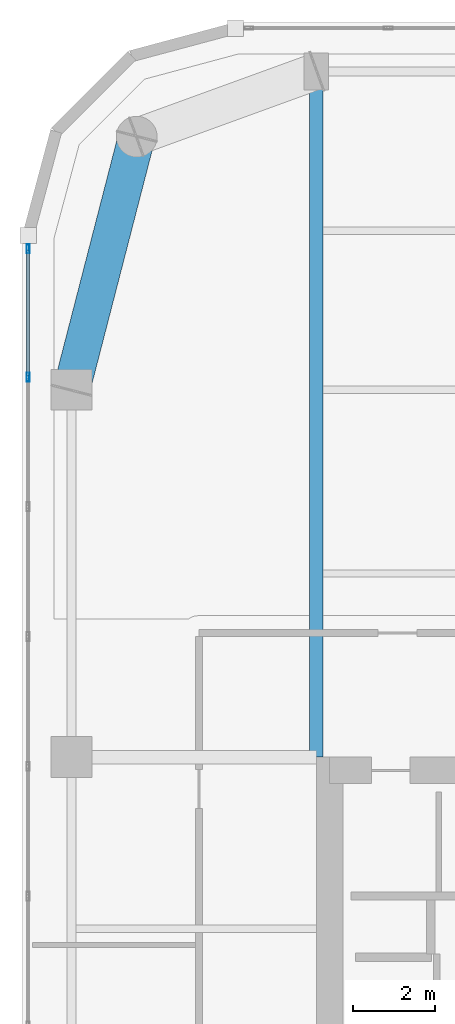
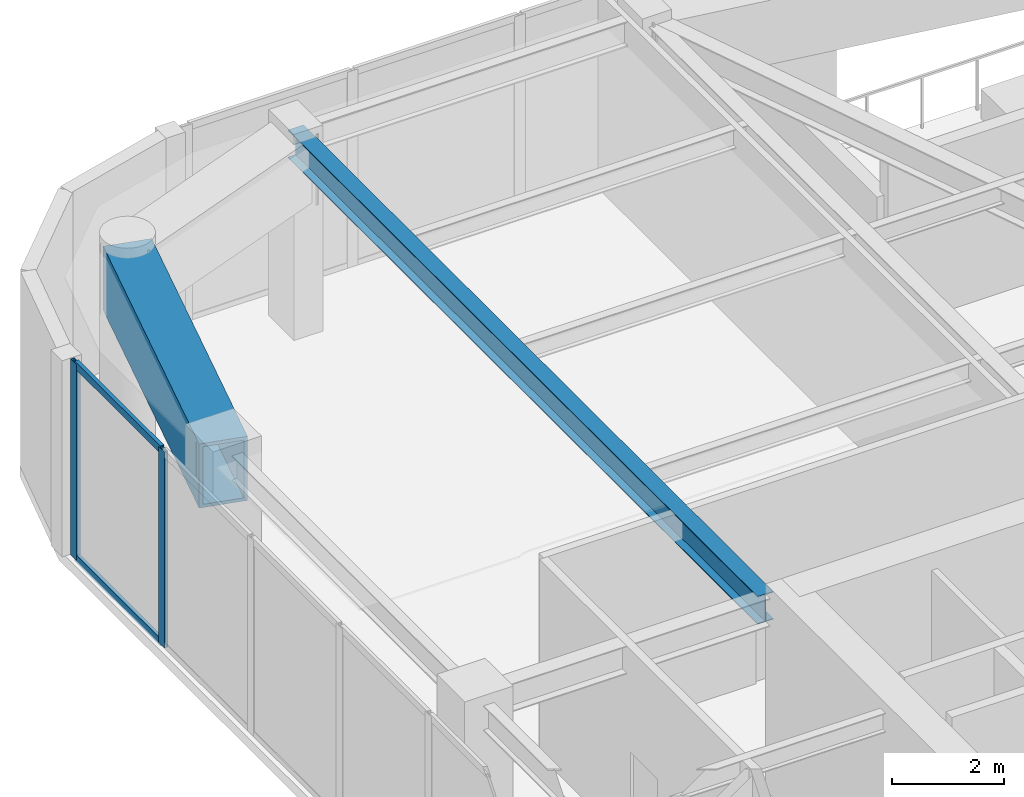
# One storey, part 6 of 19: 4 members, 2 beams, 1 element without a shape of its own.
"""IFC4 building model written with IfcOpenShell, lengths in metres."""

import ifcopenshell
import ifcopenshell.guid

model = None  # the IFC model being written
_history = None  # IfcOwnerHistory: only IFC2X3 demands one
_inside = {}  # id of a spatial element -> (the spatial element, [elements in it])
_under = {}  # id of a project, library or spatial element -> (it, [spatial elements below it])
_declared = {}  # id of a project -> (the project, [libraries it declares])
_typed = {}  # id of a type object -> (the type object, [elements of that type])
_made_of = {}  # id of a material, layer set ... -> (it, [elements and type objects made of it])


def new_model(schema):
    """Start an empty IFC model of exactly this schema.

    Asked for "IFC4X3", IfcOpenShell would pick the latest addendum, in which some entities
    have other attributes; the version numbers below select the first issue.
    IFC2X3 requires an IfcOwnerHistory on every rooted entity: one is made here for all.
    """
    global model, _history
    if schema == "IFC4X3":
        model = ifcopenshell.file(schema_version=(4, 3, 0, 0))
    else:
        model = ifcopenshell.file(schema=schema)
    _inside.clear()
    _under.clear()
    _declared.clear()
    _typed.clear()
    _made_of.clear()
    _history = None
    if model.schema == "IFC2X3":
        org = make("IfcOrganization", Name="unknown")
        user = make(
            "IfcPersonAndOrganization",
            ThePerson=make("IfcPerson", FamilyName="unknown"),
            TheOrganization=org,
        )
        app = make(
            "IfcApplication",
            ApplicationDeveloper=org,
            Version="unknown",
            ApplicationFullName="unknown",
            ApplicationIdentifier="unknown",
        )
        _history = make(
            "IfcOwnerHistory",
            OwningUser=user,
            OwningApplication=app,
            ChangeAction="ADDED",
            CreationDate=0,
        )
    return model


def make(cls, **values):
    """One entity of the class cls with the attributes given. An attribute that is None is left unset."""
    return model.create_entity(
        cls, **{name: value for name, value in values.items() if value is not None}
    )


def rooted(cls, **values):
    """An entity with a GlobalId (a new one), such as an element, a storey or a relation."""
    return make(cls, GlobalId=ifcopenshell.guid.new(), OwnerHistory=_history, **values)


def si_unit(unit_type, name, prefix=None):
    """IfcSIUnit, for example si_unit("LENGTHUNIT", "METRE", prefix="MILLI")."""
    return make("IfcSIUnit", UnitType=unit_type, Prefix=prefix, Name=name)


def assignment(units):
    """IfcUnitAssignment: the units of a project."""
    return None if units is None else make("IfcUnitAssignment", Units=units)


def point(xyz):
    """IfcCartesianPoint."""
    return None if xyz is None else make("IfcCartesianPoint", Coordinates=xyz)


def direction(xyz):
    """IfcDirection."""
    return None if xyz is None else make("IfcDirection", DirectionRatios=xyz)


def frame(location, z_axis=None, x_axis=None):
    """IfcAxis2Placement3D, a coordinate frame: its origin and axes. An axis left out is left unset."""
    return make(
        "IfcAxis2Placement3D",
        Location=point(location),
        Axis=direction(z_axis),
        RefDirection=direction(x_axis),
    )


def frame_2d(location, x_axis=None):
    """IfcAxis2Placement2D, a coordinate frame in the plane: its origin and x axis."""
    return make(
        "IfcAxis2Placement2D", Location=point(location), RefDirection=direction(x_axis)
    )


def origin():
    """The frame at (0, 0, 0) with its axes left unset."""
    return frame((0.0, 0.0, 0.0))


def origin_2d():
    """The frame at (0, 0) in the plane with its x axis left unset."""
    return frame_2d((0.0, 0.0))


def place(relative_to, where):
    """IfcLocalPlacement: puts the frame where relative to a parent placement (None: the world)."""
    return make(
        "IfcLocalPlacement", PlacementRelTo=relative_to, RelativePlacement=where
    )


def context(
    kind, dimensions, precision=None, world=None, true_north=None, identifier=None
):
    """IfcGeometricRepresentationContext, for example the 3D "Model" context."""
    return make(
        "IfcGeometricRepresentationContext",
        ContextIdentifier=identifier,
        ContextType=kind,
        CoordinateSpaceDimension=dimensions,
        Precision=precision,
        WorldCoordinateSystem=world,
        TrueNorth=true_north,
    )


def subcontext(parent, identifier, kind, view, scale=None):
    """IfcGeometricRepresentationSubContext, for example "Body" below "Model"."""
    return make(
        "IfcGeometricRepresentationSubContext",
        ContextIdentifier=identifier,
        ContextType=kind,
        ParentContext=parent,
        TargetScale=scale,
        TargetView=view,
    )


def project(units=None, contexts=None):
    """IfcProject with its units and contexts."""
    return rooted(
        "IfcProject",
        Name="project",
        RepresentationContexts=contexts,
        UnitsInContext=assignment(units),
    )


def spatial(cls, under=None, at=None, **own):
    """A site, building, storey or space (cls), placed at a placement, below another one or the project."""
    s = rooted(cls, ObjectPlacement=at, **own)
    if under is not None:
        _under.setdefault(under.id(), (under, []))[1].append(s)
    return s


def profile(cls, at=None, kind="AREA", **sizes):
    """A parametric profile (cls). Its sizes go by their IFC names, for example OverallWidth=200.0."""
    return make(cls, ProfileType=kind, Position=at, **sizes)


def hollow_rectangle(**sizes):
    """IfcRectangleHollowProfileDef."""
    return profile("IfcRectangleHollowProfileDef", **sizes)


def i_section(**sizes):
    """IfcIShapeProfileDef."""
    return profile("IfcIShapeProfileDef", **sizes)


def extrude(swept, where, along, depth):
    """IfcExtrudedAreaSolid: the profile swept, set in the frame where, extruded along a direction by depth."""
    return make(
        "IfcExtrudedAreaSolid",
        SweptArea=swept,
        Position=where,
        ExtrudedDirection=direction(along),
        Depth=depth,
    )


def shape(context_of_items, identifier, shape_type, items):
    """IfcShapeRepresentation: the items that make up one representation, for example the "Body"."""
    return make(
        "IfcShapeRepresentation",
        ContextOfItems=context_of_items,
        RepresentationIdentifier=identifier,
        RepresentationType=shape_type,
        Items=items,
    )


def material(Name=None, Category=None):
    """IfcMaterial."""
    return make("IfcMaterial", Name=Name, Category=Category)


def layer(
    of_material, thickness, ventilated=None, Name=None, Category=None, Priority=None
):
    """IfcMaterialLayer: one layer of a wall or slab, of a material (None: an air gap)."""
    return make(
        "IfcMaterialLayer",
        Material=of_material,
        LayerThickness=thickness,
        IsVentilated=ventilated,
        Name=Name,
        Category=Category,
        Priority=Priority,
    )


def layer_set(layers, Name=None):
    """IfcMaterialLayerSet."""
    return make("IfcMaterialLayerSet", MaterialLayers=layers, LayerSetName=Name)


def material_profile(
    of_material, cross_section, Name=None, Category=None, Priority=None
):
    """IfcMaterialProfile: a cross section and its material."""
    return make(
        "IfcMaterialProfile",
        Name=Name,
        Material=of_material,
        Profile=cross_section,
        Priority=Priority,
        Category=Category,
    )


def profile_set(profiles, Name=None, composite=None):
    """IfcMaterialProfileSet."""
    return make(
        "IfcMaterialProfileSet",
        Name=Name,
        MaterialProfiles=profiles,
        CompositeProfile=composite,
    )


def made_of(thing, what):
    """Note that an element or type object is made of a material, layer set ...; save() writes the relation."""
    if what is not None:
        _made_of.setdefault(what.id(), (what, []))[1].append(thing)
    return thing


def type_object(cls, material=None, **own):
    """A type object (cls), such as IfcWallType, which elements share."""
    return made_of(rooted(cls, **own), material)


def element(
    cls,
    number,
    at=None,
    inside=None,
    cuts=None,
    type_object=None,
    material=None,
    context=None,
    identifier="Body",
    shape_type=None,
    held_by="IfcProductDefinitionShape",
    body=None,
    shapes=None,
    **own,
):
    """One element of the class cls, such as IfcWall. Its Tag is "e" and its number.

    at: its placement. inside: the storey or other place that contains it. cuts: it is an
    opening in that element (IfcRelVoidsElement). A single representation is given by context,
    identifier, shape_type and body (its items); several are given by shapes. held_by: the class
    of the entity that holds the representations. save() writes the other relations.
    """
    e = rooted(cls, Tag="e%d" % number, ObjectPlacement=at, **own)
    if body is not None:
        shapes = [shape(context, identifier, shape_type, body)]
    if shapes is not None:
        e.Representation = make(held_by, Representations=shapes)
    if inside is not None:
        _inside.setdefault(inside.id(), (inside, []))[1].append(e)
    if cuts is not None:
        rooted(
            "IfcRelVoidsElement", RelatingBuildingElement=cuts, RelatedOpeningElement=e
        )
    if type_object is not None:
        _typed.setdefault(type_object.id(), (type_object, []))[1].append(e)
    return made_of(e, material)


def aggregate(whole, parts):
    """IfcRelAggregates: a whole, such as a stair, and the parts it consists of."""
    return rooted("IfcRelAggregates", RelatingObject=whole, RelatedObjects=parts)


def save(model, path):
    """Write the relations noted so far, then the file.

    IfcRelAggregates (storeys below a building ...), IfcRelContainedInSpatialStructure (elements
    in a storey), IfcRelDefinesByType, IfcRelAssociatesMaterial and IfcRelDeclares: one each for
    every whole, place, type object, material and project.
    """
    for whole, parts in _under.values():
        aggregate(whole, parts)
    for where, things in _inside.values():
        rooted(
            "IfcRelContainedInSpatialStructure",
            RelatedElements=things,
            RelatingStructure=where,
        )
    for kind, things in _typed.values():
        rooted("IfcRelDefinesByType", RelatedObjects=things, RelatingType=kind)
    for what, things in _made_of.values():
        rooted("IfcRelAssociatesMaterial", RelatedObjects=things, RelatingMaterial=what)
    for by, libraries in _declared.values():
        rooted("IfcRelDeclares", RelatingContext=by, RelatedDefinitions=libraries)
    model.write(path)


model = new_model("IFC4")

# Units and contexts
model_context = context("Model", 3, precision=1e-05, world=origin(), true_north=direction((0.0, 1.0)))
body_context = subcontext(model_context, "Body", "Model", "MODEL_VIEW")
ifc_project = project(units=[si_unit("LENGTHUNIT", "METRE"), si_unit("AREAUNIT", "SQUARE_METRE"), si_unit("VOLUMEUNIT", "CUBIC_METRE"), si_unit("PLANEANGLEUNIT", "RADIAN"), si_unit("MASSUNIT", "GRAM", prefix="KILO")], contexts=[model_context])

# Site, building, storey
site_placement = place(None, origin())
site = spatial("IfcSite", under=ifc_project, at=site_placement, CompositionType="ELEMENT")
building_placement = place(site_placement, origin())
building = spatial("IfcBuilding", under=site, at=building_placement, Name="Kiyonajd Concourse Tower", CompositionType="ELEMENT")
storey_placement = place(building_placement, frame((0.0, 0.0, 238.800048828125)))
storey = spatial("IfcBuildingStorey", under=building, at=storey_placement, Name="L60", CompositionType="ELEMENT", Elevation=238.800048828125)

# Beams
ifc_material_1 = material(Name="Steel ASTM A992 Grade 50", Category="steel")
ifc_material_profile_1 = material_profile(ifc_material_1, i_section(OverallWidth=0.323974609375, OverallDepth=0.611083984375, WebThickness=0.0126953125, FlangeThickness=0.01904296875, at=origin_2d()), Name="W610X155")
ifc_profile_set_1 = profile_set([ifc_material_profile_1], Name="Steel ASTM A992 Grade 50")
beam_type_1 = type_object("IfcBeamType", Name="BM-TWR-610B", PredefinedType="BEAM", material=ifc_profile_set_1)
beam_1_placement = place(storey_placement, frame((32.39990234375, 44.39990234375, 3.974365234375), z_axis=(0.0, 1.0, 0.0), x_axis=(-1.0, 0.0, 0.0)))
element("IfcBeam", 1, at=beam_1_placement, inside=storey, type_object=beam_type_1, Name="L60 North Lease Girder", PredefinedType="BEAM", context=body_context, shape_type="SweptSolid", body=[
    extrude(i_section(OverallWidth=0.323974609375, OverallDepth=0.611083984375, WebThickness=0.0126953125, FlangeThickness=0.01904296875, at=origin_2d()), origin(), (0.0, 0.0, 1.0), 16.800048828125),
])
ifc_material_2 = material(Name="Steel ASTM A572 Grade 50", Category="steel")
ifc_material_profile_2 = material_profile(ifc_material_2, hollow_rectangle(XDim=0.89990234375, YDim=1.39990234375, WallThickness=0.070068359375, at=origin_2d()), Name="BOX-1400x900x70")
ifc_profile_set_2 = profile_set([ifc_material_profile_2], Name="Steel ASTM A572 Grade 50")
beam_type_2 = type_object("IfcBeamType", Name="BM-XFER-1400", PredefinedType="BEAM", material=ifc_profile_set_2)
beam_2_placement = place(storey_placement, frame((28.0, 59.60009765625, 3.579833984375), z_axis=(-0.249884937687, -0.968275538221, 0.0), x_axis=(0.968275538221, -0.249884937687, 0.0)))
element("IfcBeam", 2, at=beam_2_placement, inside=storey, type_object=beam_type_2, Name="L60 Perimeter Bundled Tube Spandrel", PredefinedType="BEAM", context=body_context, shape_type="SweptSolid", body=[
    extrude(hollow_rectangle(XDim=0.89990234375, YDim=1.39990234375, WallThickness=0.070068359375, at=origin_2d()), origin(), (0.0, 0.0, 1.0), 6.4033203125),
])

# Curtain wall, members
ifc_material_3 = material(Name="Thermally Broken Anodised Aluminium", Category="aluminium")
ifc_layer = layer(ifc_material_3, 0.179931640625)
ifc_layer_set = layer_set([ifc_layer], Name="Thermally Broken Anodised Aluminium")
curtain_wall_type = type_object("IfcCurtainWallType", Name="CW-SYS-05", PredefinedType="NOTDEFINED", material=ifc_layer_set)
curtain_wall_placement = place(storey_placement, origin())
curtain_wall = element("IfcCurtainWall", 3, at=curtain_wall_placement, inside=storey, type_object=curtain_wall_type, Name="L60 Unitised Curtain Wall CW5", PredefinedType="NOTDEFINED")
ifc_material_profile_3 = material_profile(ifc_material_3, hollow_rectangle(XDim=0.074951171875, YDim=0.219970703125, WallThickness=0.0048828125, at=origin_2d()), Name="MULL-75x220")
ifc_profile_set_3 = profile_set([ifc_material_profile_3], Name="Thermally Broken Anodised Aluminium")
member_type_1 = type_object("IfcMemberType", Name="MB-CW-MULL2", PredefinedType="MULLION", material=ifc_profile_set_3)
member_1_placement = place(storey_placement, frame((25.340087890625, 53.71142578125, 0.0), z_axis=(0.0, 0.0, 1.0), x_axis=(-1.0, 0.0, 0.0)))
member_1 = element("IfcMember", 4, at=member_1_placement, type_object=member_type_1, Name="CW5 mullion 7", PredefinedType="MULLION", context=body_context, shape_type="SweptSolid", body=[
    extrude(hollow_rectangle(XDim=0.074951171875, YDim=0.219970703125, WallThickness=0.0048828125, at=origin_2d()), origin(), (0.0, 0.0, 1.0), 4.280029296875),
])
member_2_placement = place(storey_placement, frame((25.340087890625, 56.85400390625, 0.0), z_axis=(0.0, 0.0, 1.0), x_axis=(-1.0, 0.0, 0.0)))
member_2 = element("IfcMember", 5, at=member_2_placement, type_object=member_type_1, Name="CW5 mullion 8", PredefinedType="MULLION", context=body_context, shape_type="SweptSolid", body=[
    extrude(hollow_rectangle(XDim=0.074951171875, YDim=0.219970703125, WallThickness=0.0048828125, at=origin_2d()), origin(), (0.0, 0.0, 1.0), 4.280029296875),
])
ifc_material_profile_4 = material_profile(ifc_material_3, hollow_rectangle(XDim=0.074951171875, YDim=0.159912109375, WallThickness=0.0048828125, at=origin_2d()), Name="TRAN-75x160")
ifc_profile_set_4 = profile_set([ifc_material_profile_4], Name="Thermally Broken Anodised Aluminium")
member_type_2 = type_object("IfcMemberType", Name="MB-CW-TRAN2", PredefinedType="USERDEFINED", material=ifc_profile_set_4)
member_3_placement = place(storey_placement, frame((25.340087890625, 53.748779296875, 0.037353515625), z_axis=(0.0, 1.0, 0.0), x_axis=(-1.0, 0.0, 0.0)))
member_3 = element("IfcMember", 6, at=member_3_placement, type_object=member_type_2, Name="CW5 transom 7.1", ObjectType="TRANSOM", PredefinedType="USERDEFINED", context=body_context, shape_type="SweptSolid", body=[
    extrude(hollow_rectangle(XDim=0.074951171875, YDim=0.159912109375, WallThickness=0.0048828125, at=origin_2d()), origin(), (0.0, 0.0, 1.0), 3.06787109375),
])
member_4_placement = place(storey_placement, frame((25.340087890625, 53.748779296875, 4.242431640625), z_axis=(0.0, 1.0, 0.0), x_axis=(-1.0, 0.0, 0.0)))
member_4 = element("IfcMember", 7, at=member_4_placement, type_object=member_type_2, Name="CW5 transom 7.2", ObjectType="TRANSOM", PredefinedType="USERDEFINED", context=body_context, shape_type="SweptSolid", body=[
    extrude(hollow_rectangle(XDim=0.074951171875, YDim=0.159912109375, WallThickness=0.0048828125, at=origin_2d()), origin(), (0.0, 0.0, 1.0), 3.06787109375),
])
aggregate(curtain_wall, [member_1, member_2, member_3, member_4])

save(model, "model.ifc")
